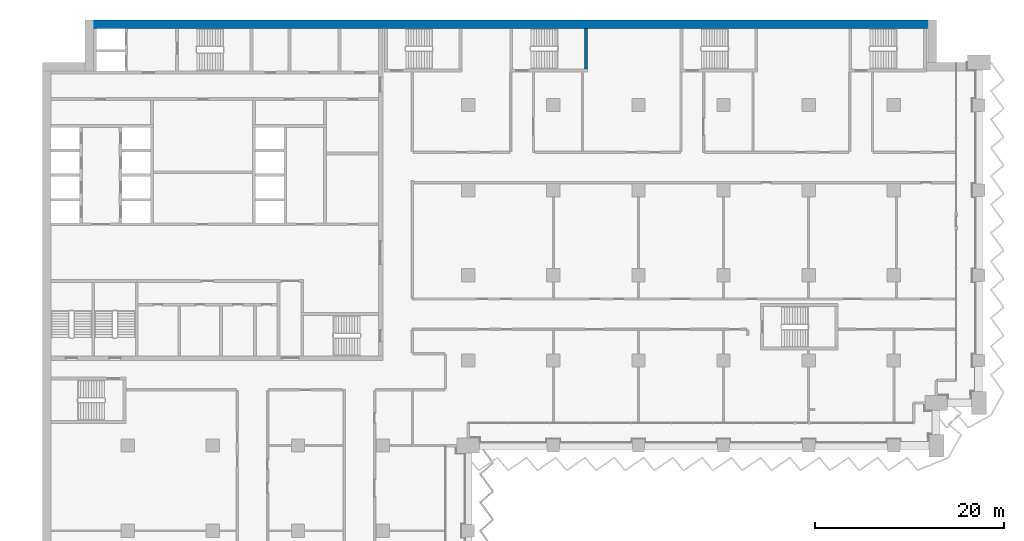
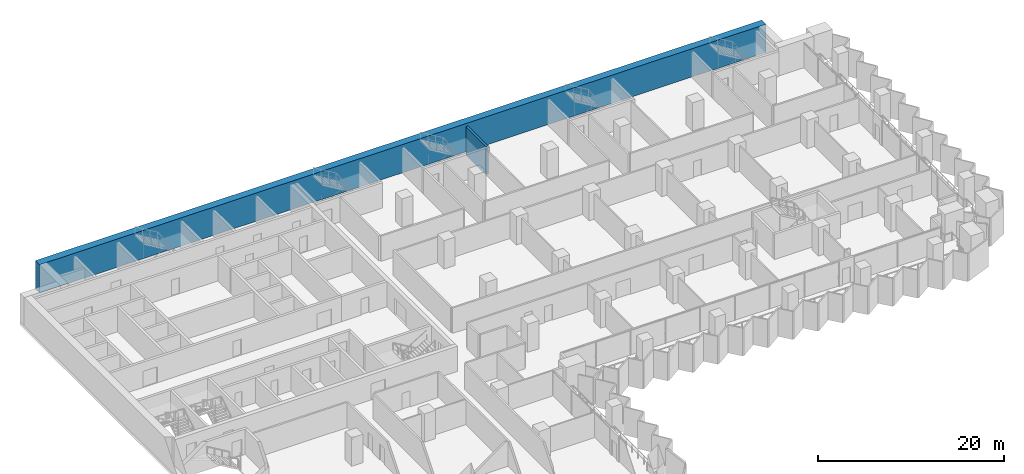
# One storey, part 17 of 28: 2 walls.
"""IFC4 building model written with IfcOpenShell, lengths in metres."""

from ifc_helpers import new_model, si_unit, direction, frame, frame_2d, origin, place, context, subcontext, project, spatial, rectangle, extrude, material, layer, layer_set, type_object, element, save


model = new_model("IFC4")

# Units and contexts
model_context = context("Model", 3, precision=1e-05, world=origin(), true_north=direction((0.0, 1.0)))
body_context = subcontext(model_context, "Body", "Model", "MODEL_VIEW")
ifc_project = project(units=[si_unit("LENGTHUNIT", "METRE"), si_unit("AREAUNIT", "SQUARE_METRE"), si_unit("VOLUMEUNIT", "CUBIC_METRE"), si_unit("PLANEANGLEUNIT", "RADIAN"), si_unit("MASSUNIT", "GRAM", prefix="KILO")], contexts=[model_context])

# Site, building, storey
site_placement = place(None, origin())
site = spatial("IfcSite", under=ifc_project, at=site_placement, CompositionType="ELEMENT")
building_placement = place(site_placement, origin())
building = spatial("IfcBuilding", under=site, at=building_placement, Name="Hunhe Ridgeline Campus", CompositionType="ELEMENT")
storey_placement = place(building_placement, frame((0.0, 0.0, 58.0)))
storey = spatial("IfcBuildingStorey", under=building, at=storey_placement, Name="L13", CompositionType="ELEMENT", Elevation=58.0)

# Walls
ifc_material = material(Name="Concrete C80", Category="concrete")
ifc_layer_1 = layer(ifc_material, 0.89990234375)
ifc_layer_set_1 = layer_set([ifc_layer_1], Name="Spine wall 900 Concrete C80")
wall_type_1 = type_object("IfcWallType", Name="Spine wall 900 Concrete C80", PredefinedType="SHEAR", material=ifc_layer_set_1)
wall_1_placement = place(storey_placement, frame((94.5, 98.550048828125, 0.0), z_axis=(0.0, 0.0, 1.0), x_axis=(-1.0, 0.0, 0.0)))
element("IfcWall", 1, at=wall_1_placement, inside=storey, type_object=wall_type_1, Name="Spine wall SW1-4 L13", PredefinedType="SHEAR", context=body_context, shape_type="SweptSolid", body=[
    extrude(rectangle(XDim=90.0, YDim=0.89990234375, at=frame_2d((45.0, 0.0))), origin(), (0.0, 0.0, 1.0), 3.699951171875),
])
ifc_layer_2 = layer(ifc_material, 0.300048828125)
ifc_layer_set_2 = layer_set([ifc_layer_2], Name="Stair wall 300 reinforced concrete C80")
wall_type_2 = type_object("IfcWallType", Name="Stair wall 300 reinforced concrete C80", PredefinedType="SOLIDWALL", material=ifc_layer_set_2)
wall_2_placement = place(storey_placement, frame((57.449951171875, 93.800048828125, -0.39990234375), z_axis=(0.0, 0.0, 1.0), x_axis=(0.0, 1.0, 0.0)))
element("IfcWall", 2, at=wall_2_placement, inside=storey, type_object=wall_type_2, Name="L13 core wall 67", PredefinedType="SOLIDWALL", context=body_context, shape_type="SweptSolid", body=[
    extrude(rectangle(XDim=4.300048828125, YDim=0.300048828125, at=frame_2d((2.14990234375, 0.0))), origin(), (0.0, 0.0, 1.0), 3.699951171875),
])

save(model, "model.ifc")
